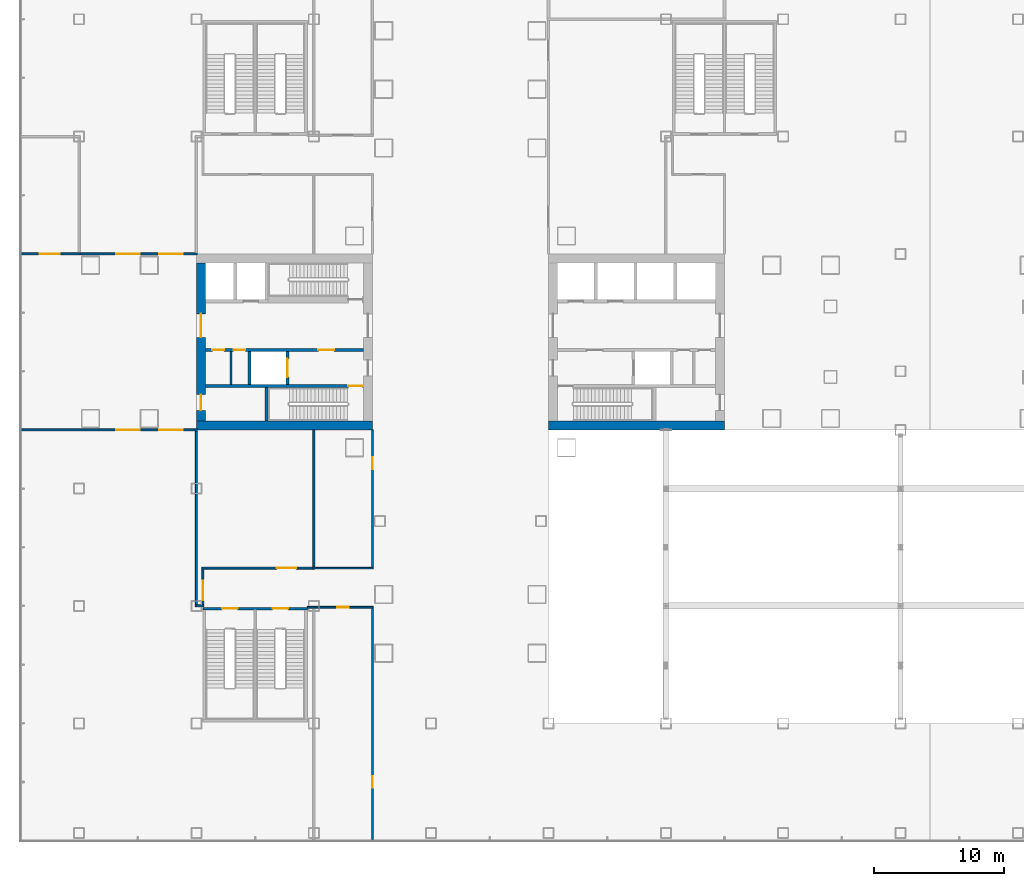
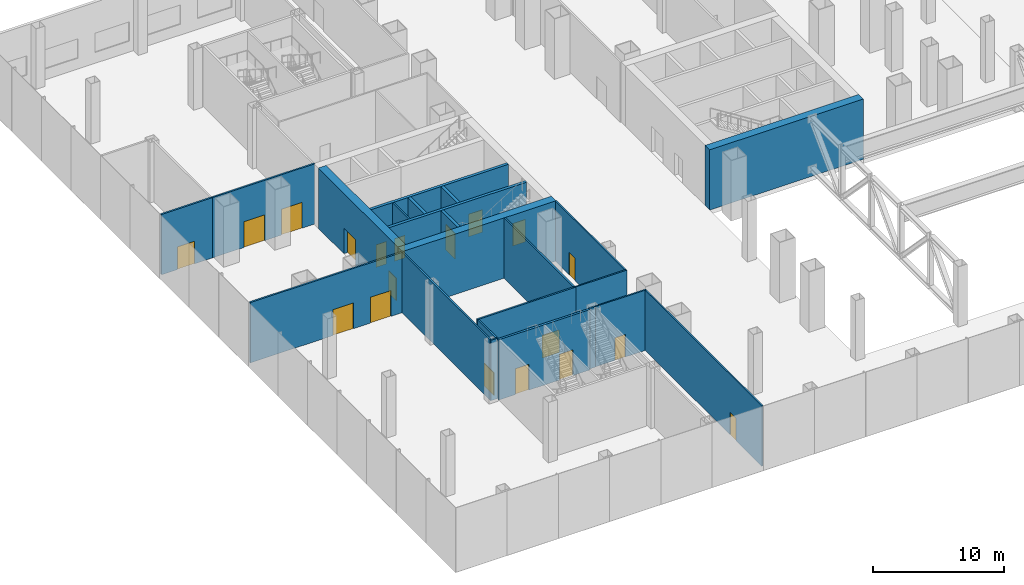
# One storey, part 18 of 33: 23 walls, 19 doors, 19 openings.
"""IFC4 building model written with IfcOpenShell, lengths in metres."""

from ifc_helpers import new_model, si_unit, direction, frame, frame_2d, origin, place, context, subcontext, project, spatial, rectangle, extrude, material, layer, layer_set, type_object, element, fill, save


model = new_model("IFC4")

# Units and contexts
model_context = context("Model", 3, precision=1e-05, world=origin(), true_north=direction((0.0, 1.0)))
body_context = subcontext(model_context, "Body", "Model", "MODEL_VIEW")
ifc_project = project(units=[si_unit("LENGTHUNIT", "METRE"), si_unit("AREAUNIT", "SQUARE_METRE"), si_unit("VOLUMEUNIT", "CUBIC_METRE"), si_unit("PLANEANGLEUNIT", "RADIAN"), si_unit("MASSUNIT", "GRAM", prefix="KILO")], contexts=[model_context])

# Site, building, storey
site_placement = place(None, origin())
site = spatial("IfcSite", under=ifc_project, at=site_placement, CompositionType="ELEMENT")
building_placement = place(site_placement, origin())
building = spatial("IfcBuilding", under=site, at=building_placement, Name="Shamsa Quay Exchange Towers", CompositionType="ELEMENT")
storey_placement = place(building_placement, frame((0.0, 0.0, 6.5)))
storey = spatial("IfcBuildingStorey", under=building, at=storey_placement, Name="L01", CompositionType="ELEMENT", Elevation=6.5)

# Walls
ifc_material_1 = material(Name="Concrete C80/95", Category="concrete")
ifc_layer_1 = layer(ifc_material_1, 0.699951171875)
ifc_layer_set_1 = layer_set([ifc_layer_1], Name="CORE WALL 700 C80/95")
wall_type_1 = type_object("IfcWallType", Name="CORE WALL 700 C80/95", PredefinedType="SHEAR", material=ifc_layer_set_1)
wall_1_placement = place(storey_placement, frame((-27.0, -6.39990234375, 0.0)))
element("IfcWall", 1, at=wall_1_placement, inside=storey, type_object=wall_type_1, Name="Core wall T1A-L01-PS", PredefinedType="SHEAR", context=body_context, shape_type="SweptSolid", body=[
    extrude(rectangle(XDim=13.5, YDim=0.699951171875, at=frame_2d((6.75, 0.0))), origin(), (0.0, 0.0, 1.0), 5.60009765625),
])
wall_2_placement = place(storey_placement, frame((-40.5, -6.39990234375, 0.0), z_axis=(0.0, 0.0, 1.0), x_axis=(-1.0, 0.0, 0.0)))
element("IfcWall", 2, at=wall_2_placement, inside=storey, type_object=wall_type_1, Name="Core wall T1B-L01-PS", PredefinedType="SHEAR", context=body_context, shape_type="SweptSolid", body=[
    extrude(rectangle(XDim=13.5, YDim=0.699951171875, at=frame_2d((6.75, 0.0))), origin(), (0.0, 0.0, 1.0), 5.60009765625),
])

# Wall, openings, doors
wall_3_placement = place(storey_placement, frame((-53.64990234375, -6.050048828125, 0.0), z_axis=(0.0, 0.0, 1.0), x_axis=(0.0, 1.0, 0.0)))
wall_3 = element("IfcWall", 3, at=wall_3_placement, inside=storey, type_object=wall_type_1, Name="Core wall T1B-L01-PB", PredefinedType="SHEAR", context=body_context, shape_type="SweptSolid", body=[
    extrude(rectangle(XDim=12.10009765625, YDim=0.699951171875, at=frame_2d((6.050048828125, 0.0))), origin(), (0.0, 0.0, 1.0), 5.60009765625),
])
opening_1_placement = place(wall_3_placement, frame((0.800048828125, 0.0, 0.0)))
opening_1 = element("IfcOpeningElement", 4, at=opening_1_placement, cuts=wall_3, Name="Opening T1B-L01-RD03", PredefinedType="OPENING", context=body_context, shape_type="SweptSolid", body=[
    extrude(rectangle(XDim=1.199951171875, YDim=2.10009765625, at=frame_2d((0.60009765625, 1.050048828125))), frame((0.0, 0.35986328125, 0.0), z_axis=(0.0, -1.0, 0.0), x_axis=(1.0, 0.0, 0.0)), (0.0, 0.0, 1.0), 0.719970703125),
])
opening_2_placement = place(wall_3_placement, frame((6.39990234375, 0.0, 0.0)))
opening_2 = element("IfcOpeningElement", 5, at=opening_2_placement, cuts=wall_3, Name="Opening T1B-L01-LBD04", PredefinedType="OPENING", context=body_context, shape_type="SweptSolid", body=[
    extrude(rectangle(XDim=1.800048828125, YDim=2.39990234375, at=frame_2d((0.89990234375, 1.199951171875))), frame((0.0, 0.35986328125, 0.0), z_axis=(0.0, -1.0, 0.0), x_axis=(1.0, 0.0, 0.0)), (0.0, 0.0, 1.0), 0.719970703125),
])
ifc_material_2 = material(Name="Steel, fire rated", Category="steel")
door_type_1 = type_object("IfcDoorType", Name="LIFT LOBBY DOOR PAIR 1800", OperationType="DOUBLE_DOOR_SINGLE_SWING", PredefinedType="DOOR", material=ifc_material_2)
door_1_placement = place(opening_2_placement, origin())
door_1 = element("IfcDoor", 6, at=door_1_placement, inside=storey, type_object=door_type_1, Name="T1B-L01-LBD04", OperationType="DOUBLE_DOOR_SINGLE_SWING", OverallHeight=2.39990234375, OverallWidth=1.800048828125, PredefinedType="DOOR", context=body_context, shape_type="SweptSolid", body=[
    extrude(rectangle(XDim=1.800048828125, YDim=2.39990234375, at=frame_2d((0.89990234375, 1.199951171875))), frame((0.0, 0.02490234375, 0.0), z_axis=(0.0, -1.0, 0.0), x_axis=(1.0, 0.0, 0.0)), (0.0, 0.0, 1.0), 0.050048828125),
])
fill(opening_2, door_1)
door_type_2 = type_object("IfcDoorType", Name="RISER ACCESS DOOR 1200", OperationType="SINGLE_SWING_LEFT", PredefinedType="DOOR", material=ifc_material_2)
door_2_placement = place(opening_1_placement, origin())
door_2 = element("IfcDoor", 7, at=door_2_placement, inside=storey, type_object=door_type_2, Name="T1B-L01-RD03", OperationType="SINGLE_SWING_LEFT", OverallHeight=2.10009765625, OverallWidth=1.199951171875, PredefinedType="DOOR", context=body_context, shape_type="SweptSolid", body=[
    extrude(rectangle(XDim=1.199951171875, YDim=2.10009765625, at=frame_2d((0.60009765625, 1.050048828125))), frame((0.0, 0.02490234375, 0.0), z_axis=(0.0, -1.0, 0.0), x_axis=(1.0, 0.0, 0.0)), (0.0, 0.0, 1.0), 0.050048828125),
])
fill(opening_1, door_2)

# Wall
ifc_material_3 = material(Name="Gypsum board on steel studs, EI 60", Category="steel")
ifc_layer_2 = layer(ifc_material_3, 0.14990234375)
ifc_layer_set_2 = layer_set([ifc_layer_2], Name="FIRE PARTITION 150")
wall_type_2 = type_object("IfcWallType", Name="FIRE PARTITION 150", PredefinedType="PARTITIONING", material=ifc_layer_set_2)
wall_4_placement = place(storey_placement, frame((-51.35009765625, -3.25, 0.0), z_axis=(0.0, 0.0, 1.0), x_axis=(0.0, 1.0, 0.0)))
element("IfcWall", 8, at=wall_4_placement, inside=storey, type_object=wall_type_2, Name="Partition T1B-L01-EC0", PredefinedType="PARTITIONING", context=body_context, shape_type="SweptSolid", body=[
    extrude(rectangle(XDim=2.5, YDim=0.14990234375, at=frame_2d((1.25, 0.0))), origin(), (0.0, 0.0, 1.0), 5.60009765625),
])

# Wall, opening, door
ifc_material_4 = material(Name="Laminated fire-resisting glass in a metal frame", Category="glass")
ifc_layer_3 = layer(ifc_material_4, 0.125)
ifc_layer_set_3 = layer_set([ifc_layer_3], Name="Glazed partition 125 mm EI 60")
wall_type_3 = type_object("IfcWallType", Name="Glazed partition 125 mm EI 60", PredefinedType="PARTITIONING", material=ifc_layer_set_3)
wall_5_placement = place(storey_placement, frame((-40.5, -20.412109375, 0.0), z_axis=(0.0, 0.0, 1.0), x_axis=(0.0, -1.0, 0.0)))
wall_5 = element("IfcWall", 9, at=wall_5_placement, inside=storey, type_object=wall_type_3, Name="Partition PD-L01-W03", PredefinedType="PARTITIONING", context=body_context, shape_type="SweptSolid", body=[
    extrude(rectangle(XDim=17.742919921875, YDim=0.125, at=frame_2d((8.87158203125, 0.0))), origin(), (0.0, 0.0, 1.0), 5.60009765625),
])
opening_3_placement = place(wall_5_placement, frame((12.887939453125, 0.0, 0.0)))
opening_3 = element("IfcOpeningElement", 10, at=opening_3_placement, cuts=wall_5, Name="Opening PD-L01-D09", PredefinedType="OPENING", context=body_context, shape_type="SweptSolid", body=[
    extrude(rectangle(XDim=0.89990234375, YDim=2.10009765625, at=frame_2d((0.449951171875, 1.050048828125))), frame((0.0, 0.072509765625, 0.0), z_axis=(0.0, -1.0, 0.0), x_axis=(1.0, 0.0, 0.0)), (0.0, 0.0, 1.0), 0.14501953125),
])
ifc_material_5 = material(Name="Timber door leaf in a metal frame", Category="wood")
door_type_3 = type_object("IfcDoorType", Name="Door 900x2100 FD30S", OperationType="NOTDEFINED", PredefinedType="DOOR", material=ifc_material_5)
door_3_placement = place(opening_3_placement, origin())
door_3 = element("IfcDoor", 11, at=door_3_placement, inside=storey, type_object=door_type_3, Name="Door PD-L01-D09", OperationType="SINGLE_SWING_RIGHT", OverallHeight=2.10009765625, OverallWidth=0.89990234375, PredefinedType="DOOR", context=body_context, shape_type="SweptSolid", body=[
    extrude(rectangle(XDim=0.89990234375, YDim=2.10009765625, at=frame_2d((0.449951171875, 1.050048828125))), frame((0.0, 0.02490234375, 0.0), z_axis=(0.0, -1.0, 0.0), x_axis=(1.0, 0.0, 0.0)), (0.0, 0.0, 1.0), 0.050048828125),
])
fill(opening_3, door_3)

wall_6_placement = place(storey_placement, frame((-40.5, -17.287109375, 0.0), z_axis=(0.0, 0.0, 1.0), x_axis=(0.0, 1.0, 0.0)))
wall_6 = element("IfcWall", 12, at=wall_6_placement, inside=storey, type_object=wall_type_3, Name="Partition PD-L01-W05", PredefinedType="PARTITIONING", context=body_context, shape_type="SweptSolid", body=[
    extrude(rectangle(XDim=10.537109375, YDim=0.125, at=frame_2d((5.2685546875, 0.0))), origin(), (0.0, 0.0, 1.0), 5.60009765625),
])
opening_4_placement = place(wall_6_placement, frame((7.537109375, 0.0, 0.0)))
opening_4 = element("IfcOpeningElement", 13, at=opening_4_placement, cuts=wall_6, Name="Opening PD-L01-D10", PredefinedType="OPENING", context=body_context, shape_type="SweptSolid", body=[
    extrude(rectangle(XDim=0.89990234375, YDim=2.10009765625, at=frame_2d((0.449951171875, 1.050048828125))), frame((0.0, 0.072509765625, 0.0), z_axis=(0.0, -1.0, 0.0), x_axis=(1.0, 0.0, 0.0)), (0.0, 0.0, 1.0), 0.14501953125),
])
door_4_placement = place(opening_4_placement, origin())
door_4 = element("IfcDoor", 14, at=door_4_placement, inside=storey, type_object=door_type_3, Name="Door PD-L01-D10", OperationType="SINGLE_SWING_LEFT", OverallHeight=2.10009765625, OverallWidth=0.89990234375, PredefinedType="DOOR", context=body_context, shape_type="SweptSolid", body=[
    extrude(rectangle(XDim=0.89990234375, YDim=2.10009765625, at=frame_2d((0.449951171875, 1.050048828125))), frame((0.0, 0.02490234375, 0.0), z_axis=(0.0, -1.0, 0.0), x_axis=(1.0, 0.0, 0.0)), (0.0, 0.0, 1.0), 0.050048828125),
])
fill(opening_4, door_4)

wall_7_placement = place(storey_placement, frame((-45.074951171875, -20.349609375, 0.0)))
wall_7 = element("IfcWall", 15, at=wall_7_placement, inside=storey, type_object=wall_type_3, Name="Partition PD-L01-W36", PredefinedType="PARTITIONING", context=body_context, shape_type="SweptSolid", body=[
    extrude(rectangle(XDim=4.637451171875, YDim=0.125, at=frame_2d((2.31884765625, 0.0))), origin(), (0.0, 0.0, 1.0), 5.60009765625),
])
opening_5_placement = place(wall_7_placement, frame((1.875, 0.0, 0.0)))
opening_5 = element("IfcOpeningElement", 16, at=opening_5_placement, cuts=wall_7, Name="Opening PD-L01-D07", PredefinedType="OPENING", context=body_context, shape_type="SweptSolid", body=[
    extrude(rectangle(XDim=0.89990234375, YDim=2.10009765625, at=frame_2d((0.449951171875, 1.050048828125))), frame((0.0, 0.072509765625, 0.0), z_axis=(0.0, -1.0, 0.0), x_axis=(1.0, 0.0, 0.0)), (0.0, 0.0, 1.0), 0.14501953125),
])
door_5_placement = place(opening_5_placement, origin())
door_5 = element("IfcDoor", 17, at=door_5_placement, inside=storey, type_object=door_type_3, Name="Door PD-L01-D07", OperationType="SINGLE_SWING_LEFT", OverallHeight=2.10009765625, OverallWidth=0.89990234375, PredefinedType="DOOR", context=body_context, shape_type="SweptSolid", body=[
    extrude(rectangle(XDim=0.89990234375, YDim=2.10009765625, at=frame_2d((0.449951171875, 1.050048828125))), frame((0.0, 0.02490234375, 0.0), z_axis=(0.0, -1.0, 0.0), x_axis=(1.0, 0.0, 0.0)), (0.0, 0.0, 1.0), 0.050048828125),
])
fill(opening_5, door_5)

# Wall
wall_8_placement = place(storey_placement, frame((-45.074951171875, -17.349609375, 0.0)))
element("IfcWall", 18, at=wall_8_placement, inside=storey, type_object=wall_type_3, Name="Partition PD-L01-W37", PredefinedType="PARTITIONING", context=body_context, shape_type="SweptSolid", body=[
    extrude(rectangle(XDim=4.637451171875, YDim=0.125, at=frame_2d((2.31884765625, 0.0))), origin(), (0.0, 0.0, 1.0), 5.60009765625),
])

# Wall, openings, doors
ifc_material_6 = material(Name="Gypsum board partition on metal studs")
ifc_layer_4 = layer(ifc_material_6, 0.14990234375)
ifc_layer_set_4 = layer_set([ifc_layer_4], Name="Partition 150 mm EI 60")
wall_type_4 = type_object("IfcWallType", Name="Partition 150 mm EI 60", PredefinedType="PARTITIONING", material=ifc_layer_set_4)
wall_9_placement = place(storey_placement, frame((-67.405029296875, -6.75, 0.0)))
wall_9 = element("IfcWall", 19, at=wall_9_placement, inside=storey, type_object=wall_type_4, Name="Partition PD-L01-W16", PredefinedType="PARTITIONING", context=body_context, shape_type="SweptSolid", body=[
    extrude(rectangle(XDim=13.47998046875, YDim=0.14990234375, at=frame_2d((6.739990234375, 0.0))), origin(), (0.0, 0.0, 1.0), 5.60009765625),
])
opening_6_placement = place(wall_9_placement, frame((7.2548828125, 0.0, 0.0)))
opening_6 = element("IfcOpeningElement", 20, at=opening_6_placement, cuts=wall_9, Name="Opening PD-L01-D01", PredefinedType="OPENING", context=body_context, shape_type="SweptSolid", body=[
    extrude(rectangle(XDim=1.800048828125, YDim=2.39990234375, at=frame_2d((0.89990234375, 1.199951171875))), frame((0.0, 0.0849609375, 0.0), z_axis=(0.0, -1.0, 0.0), x_axis=(1.0, 0.0, 0.0)), (0.0, 0.0, 1.0), 0.169921875),
])
opening_7_placement = place(wall_9_placement, frame((10.554931640625, 0.0, 0.0)))
opening_7 = element("IfcOpeningElement", 21, at=opening_7_placement, cuts=wall_9, Name="Opening PD-L01-D02", PredefinedType="OPENING", context=body_context, shape_type="SweptSolid", body=[
    extrude(rectangle(XDim=1.800048828125, YDim=2.39990234375, at=frame_2d((0.89990234375, 1.199951171875))), frame((0.0, 0.0849609375, 0.0), z_axis=(0.0, -1.0, 0.0), x_axis=(1.0, 0.0, 0.0)), (0.0, 0.0, 1.0), 0.169921875),
])
door_type_4 = type_object("IfcDoorType", Name="Door 1800x2400 FD30S pair", OperationType="NOTDEFINED", PredefinedType="DOOR", material=ifc_material_5)
door_6_placement = place(opening_6_placement, origin())
door_6 = element("IfcDoor", 22, at=door_6_placement, inside=storey, type_object=door_type_4, Name="Door PD-L01-D01", OperationType="DOUBLE_DOOR_SINGLE_SWING", OverallHeight=2.39990234375, OverallWidth=1.800048828125, PredefinedType="DOOR", context=body_context, shape_type="SweptSolid", body=[
    extrude(rectangle(XDim=1.800048828125, YDim=2.39990234375, at=frame_2d((0.89990234375, 1.199951171875))), frame((0.0, 0.02490234375, 0.0), z_axis=(0.0, -1.0, 0.0), x_axis=(1.0, 0.0, 0.0)), (0.0, 0.0, 1.0), 0.050048828125),
])
fill(opening_6, door_6)
door_7_placement = place(opening_7_placement, origin())
door_7 = element("IfcDoor", 23, at=door_7_placement, inside=storey, type_object=door_type_4, Name="Door PD-L01-D02", OperationType="DOUBLE_DOOR_SINGLE_SWING", OverallHeight=2.39990234375, OverallWidth=1.800048828125, PredefinedType="DOOR", context=body_context, shape_type="SweptSolid", body=[
    extrude(rectangle(XDim=1.800048828125, YDim=2.39990234375, at=frame_2d((0.89990234375, 1.199951171875))), frame((0.0, 0.02490234375, 0.0), z_axis=(0.0, -1.0, 0.0), x_axis=(1.0, 0.0, 0.0)), (0.0, 0.0, 1.0), 0.050048828125),
])
fill(opening_7, door_7)

wall_10_placement = place(storey_placement, frame((-53.925048828125, 6.75, 0.0), z_axis=(0.0, 0.0, 1.0), x_axis=(-1.0, 0.0, 0.0)))
wall_10 = element("IfcWall", 24, at=wall_10_placement, inside=storey, type_object=wall_type_4, Name="Partition PD-L01-W18", PredefinedType="PARTITIONING", context=body_context, shape_type="SweptSolid", body=[
    extrude(rectangle(XDim=9.14990234375, YDim=0.14990234375, at=frame_2d((4.574951171875, 0.0))), origin(), (0.0, 0.0, 1.0), 5.60009765625),
])
opening_8_placement = place(wall_10_placement, frame((1.125, 0.0, 0.0)))
opening_8 = element("IfcOpeningElement", 25, at=opening_8_placement, cuts=wall_10, Name="Opening PD-L01-D04", PredefinedType="OPENING", context=body_context, shape_type="SweptSolid", body=[
    extrude(rectangle(XDim=1.800048828125, YDim=2.39990234375, at=frame_2d((0.89990234375, 1.199951171875))), frame((0.0, 0.0849609375, 0.0), z_axis=(0.0, -1.0, 0.0), x_axis=(1.0, 0.0, 0.0)), (0.0, 0.0, 1.0), 0.169921875),
])
opening_9_placement = place(wall_10_placement, frame((4.425048828125, 0.0, 0.0)))
opening_9 = element("IfcOpeningElement", 26, at=opening_9_placement, cuts=wall_10, Name="Opening PD-L01-D05", PredefinedType="OPENING", context=body_context, shape_type="SweptSolid", body=[
    extrude(rectangle(XDim=1.800048828125, YDim=2.39990234375, at=frame_2d((0.89990234375, 1.199951171875))), frame((0.0, 0.0849609375, 0.0), z_axis=(0.0, -1.0, 0.0), x_axis=(1.0, 0.0, 0.0)), (0.0, 0.0, 1.0), 0.169921875),
])
door_8_placement = place(opening_8_placement, origin())
door_8 = element("IfcDoor", 27, at=door_8_placement, inside=storey, type_object=door_type_4, Name="Door PD-L01-D04", OperationType="DOUBLE_DOOR_SINGLE_SWING", OverallHeight=2.39990234375, OverallWidth=1.800048828125, PredefinedType="DOOR", context=body_context, shape_type="SweptSolid", body=[
    extrude(rectangle(XDim=1.800048828125, YDim=2.39990234375, at=frame_2d((0.89990234375, 1.199951171875))), frame((0.0, 0.02490234375, 0.0), z_axis=(0.0, -1.0, 0.0), x_axis=(1.0, 0.0, 0.0)), (0.0, 0.0, 1.0), 0.050048828125),
])
fill(opening_8, door_8)
door_9_placement = place(opening_9_placement, origin())
door_9 = element("IfcDoor", 28, at=door_9_placement, inside=storey, type_object=door_type_4, Name="Door PD-L01-D05", OperationType="DOUBLE_DOOR_SINGLE_SWING", OverallHeight=2.39990234375, OverallWidth=1.800048828125, PredefinedType="DOOR", context=body_context, shape_type="SweptSolid", body=[
    extrude(rectangle(XDim=1.800048828125, YDim=2.39990234375, at=frame_2d((0.89990234375, 1.199951171875))), frame((0.0, 0.02490234375, 0.0), z_axis=(0.0, -1.0, 0.0), x_axis=(1.0, 0.0, 0.0)), (0.0, 0.0, 1.0), 0.050048828125),
])
fill(opening_9, door_9)

# Wall, opening, door
wall_11_placement = place(storey_placement, frame((-67.405029296875, 6.75, 0.0)))
wall_11 = element("IfcWall", 29, at=wall_11_placement, inside=storey, type_object=wall_type_4, Name="Partition PD-L01-W19", PredefinedType="PARTITIONING", context=body_context, shape_type="SweptSolid", body=[
    extrude(rectangle(XDim=4.47998046875, YDim=0.14990234375, at=frame_2d((2.239990234375, 0.0))), origin(), (0.0, 0.0, 1.0), 5.60009765625),
])
opening_10_placement = place(wall_11_placement, frame((1.405029296875, 0.0, 0.0)))
opening_10 = element("IfcOpeningElement", 30, at=opening_10_placement, cuts=wall_11, Name="Opening PD-L01-D03", PredefinedType="OPENING", context=body_context, shape_type="SweptSolid", body=[
    extrude(rectangle(XDim=1.5, YDim=2.10009765625, at=frame_2d((0.75, 1.050048828125))), frame((0.0, 0.0849609375, 0.0), z_axis=(0.0, -1.0, 0.0), x_axis=(1.0, 0.0, 0.0)), (0.0, 0.0, 1.0), 0.169921875),
])
door_type_5 = type_object("IfcDoorType", Name="Door 1500x2100 FD30S pair", OperationType="NOTDEFINED", PredefinedType="DOOR", material=ifc_material_5)
door_10_placement = place(opening_10_placement, origin())
door_10 = element("IfcDoor", 31, at=door_10_placement, inside=storey, type_object=door_type_5, Name="Door PD-L01-D03", OperationType="DOUBLE_DOOR_SINGLE_SWING", OverallHeight=2.10009765625, OverallWidth=1.5, PredefinedType="DOOR", context=body_context, shape_type="SweptSolid", body=[
    extrude(rectangle(XDim=1.5, YDim=2.10009765625, at=frame_2d((0.75, 1.050048828125))), frame((0.0, 0.02490234375, 0.0), z_axis=(0.0, -1.0, 0.0), x_axis=(1.0, 0.0, 0.0)), (0.0, 0.0, 1.0), 0.050048828125),
])
fill(opening_10, door_10)

# Wall
wall_12_placement = place(storey_placement, frame((-45.5, -20.349609375, 0.0)))
element("IfcWall", 32, at=wall_12_placement, inside=storey, type_object=wall_type_4, Name="Partition PD-L01-W32", PredefinedType="PARTITIONING", context=body_context, shape_type="SweptSolid", body=[
    extrude(rectangle(XDim=0.574951171875, YDim=0.14990234375, at=frame_2d((0.28759765625, 0.0))), origin(), (0.0, 0.0, 1.0), 5.60009765625),
])

# Wall, opening, door
wall_13_placement = place(storey_placement, frame((-53.5, -17.424560546875, 0.0), z_axis=(0.0, 0.0, 1.0), x_axis=(0.0, -1.0, 0.0)))
wall_13 = element("IfcWall", 33, at=wall_13_placement, inside=storey, type_object=wall_type_4, Name="Partition PD-L01-W34", PredefinedType="PARTITIONING", context=body_context, shape_type="SweptSolid", body=[
    extrude(rectangle(XDim=2.75048828125, YDim=0.14990234375, at=frame_2d((1.375244140625, 0.0))), origin(), (0.0, 0.0, 1.0), 5.60009765625),
])
opening_11_placement = place(wall_13_placement, frame((0.895263671875, 0.0, 0.0)))
opening_11 = element("IfcOpeningElement", 34, at=opening_11_placement, cuts=wall_13, Name="Opening PD-L01-D06", PredefinedType="OPENING", context=body_context, shape_type="SweptSolid", body=[
    extrude(rectangle(XDim=1.5, YDim=2.10009765625, at=frame_2d((0.75, 1.050048828125))), frame((0.0, 0.0849609375, 0.0), z_axis=(0.0, -1.0, 0.0), x_axis=(1.0, 0.0, 0.0)), (0.0, 0.0, 1.0), 0.169921875),
])
door_11_placement = place(opening_11_placement, origin())
door_11 = element("IfcDoor", 35, at=door_11_placement, inside=storey, type_object=door_type_5, Name="Door PD-L01-D06", OperationType="DOUBLE_DOOR_SINGLE_SWING", OverallHeight=2.10009765625, OverallWidth=1.5, PredefinedType="DOOR", context=body_context, shape_type="SweptSolid", body=[
    extrude(rectangle(XDim=1.5, YDim=2.10009765625, at=frame_2d((0.75, 1.050048828125))), frame((0.0, 0.02490234375, 0.0), z_axis=(0.0, -1.0, 0.0), x_axis=(1.0, 0.0, 0.0)), (0.0, 0.0, 1.0), 0.050048828125),
])
fill(opening_11, door_11)

wall_14_placement = place(storey_placement, frame((-44.925048828125, -17.349609375, 0.0), z_axis=(0.0, 0.0, 1.0), x_axis=(-1.0, 0.0, 0.0)))
wall_14 = element("IfcWall", 36, at=wall_14_placement, inside=storey, type_object=wall_type_4, Name="Partition PD-L01-W35", PredefinedType="PARTITIONING", context=body_context, shape_type="SweptSolid", body=[
    extrude(rectangle(XDim=8.64990234375, YDim=0.14990234375, at=frame_2d((4.324951171875, 0.0))), origin(), (0.0, 0.0, 1.0), 5.60009765625),
])
opening_12_placement = place(wall_14_placement, frame((1.425048828125, 0.0, 0.0)))
opening_12 = element("IfcOpeningElement", 37, at=opening_12_placement, cuts=wall_14, Name="Opening PD-L01-D08", PredefinedType="OPENING", context=body_context, shape_type="SweptSolid", body=[
    extrude(rectangle(XDim=1.5, YDim=2.10009765625, at=frame_2d((0.75, 1.050048828125))), frame((0.0, 0.0849609375, 0.0), z_axis=(0.0, -1.0, 0.0), x_axis=(1.0, 0.0, 0.0)), (0.0, 0.0, 1.0), 0.169921875),
])
door_12_placement = place(opening_12_placement, origin())
door_12 = element("IfcDoor", 38, at=door_12_placement, inside=storey, type_object=door_type_5, Name="Door PD-L01-D08", OperationType="DOUBLE_DOOR_SINGLE_SWING", OverallHeight=2.10009765625, OverallWidth=1.5, PredefinedType="DOOR", context=body_context, shape_type="SweptSolid", body=[
    extrude(rectangle(XDim=1.5, YDim=2.10009765625, at=frame_2d((0.75, 1.050048828125))), frame((0.0, 0.02490234375, 0.0), z_axis=(0.0, -1.0, 0.0), x_axis=(1.0, 0.0, 0.0)), (0.0, 0.0, 1.0), 0.050048828125),
])
fill(opening_12, door_12)

# Walls
wall_15_placement = place(storey_placement, frame((-54.0, -20.175048828125, 0.0), z_axis=(0.0, 0.0, 1.0), x_axis=(0.0, 1.0, 0.0)))
element("IfcWall", 39, at=wall_15_placement, inside=storey, type_object=wall_type_4, Name="Partition PD-L01-W40", PredefinedType="PARTITIONING", context=body_context, shape_type="SweptSolid", body=[
    extrude(rectangle(XDim=13.35009765625, YDim=0.14990234375, at=frame_2d((6.675048828125, 0.0))), origin(), (0.0, 0.0, 1.0), 5.60009765625),
])
wall_16_placement = place(storey_placement, frame((-53.425048828125, -20.25, 0.0), z_axis=(0.0, 0.0, 1.0), x_axis=(-1.0, 0.0, 0.0)))
element("IfcWall", 40, at=wall_16_placement, inside=storey, type_object=wall_type_4, Name="Partition PD-L01-W43", PredefinedType="PARTITIONING", context=body_context, shape_type="SweptSolid", body=[
    extrude(rectangle(XDim=0.64990234375, YDim=0.14990234375, at=frame_2d((0.324951171875, 0.0))), origin(), (0.0, 0.0, 1.0), 5.60009765625),
])
wall_17_placement = place(storey_placement, frame((-45.0, -17.274658203125, 0.0), z_axis=(0.0, 0.0, 1.0), x_axis=(0.0, 1.0, 0.0)))
element("IfcWall", 41, at=wall_17_placement, inside=storey, type_object=wall_type_4, Name="Partition PD-L01-W45", PredefinedType="PARTITIONING", context=body_context, shape_type="SweptSolid", body=[
    extrude(rectangle(XDim=10.524658203125, YDim=0.14990234375, at=frame_2d((5.26220703125, 0.0))), origin(), (0.0, 0.0, 1.0), 5.60009765625),
])

# Wall, opening, door
ifc_material_7 = material(Name="Concrete C50/60", Category="concrete")
ifc_layer_5 = layer(ifc_material_7, 0.25)
ifc_layer_set_5 = layer_set([ifc_layer_5], Name="SHAFT WALL 250 C50/60")
wall_type_5 = type_object("IfcWallType", Name="SHAFT WALL 250 C50/60", PredefinedType="SHEAR", material=ifc_layer_set_5)
wall_18_placement = place(storey_placement, frame((-41.199951171875, -3.375, 0.0), z_axis=(0.0, 0.0, 1.0), x_axis=(-1.0, 0.0, 0.0)))
wall_18 = element("IfcWall", 42, at=wall_18_placement, inside=storey, type_object=wall_type_5, Name="Shaft wall T1B-L01-STL", PredefinedType="SHEAR", context=body_context, shape_type="SweptSolid", body=[
    extrude(rectangle(XDim=12.10009765625, YDim=0.25, at=frame_2d((6.050048828125, 0.0))), origin(), (0.0, 0.0, 1.0), 5.60009765625),
])
opening_13_placement = place(wall_18_placement, frame((0.050048828125, 0.0, 0.0)))
opening_13 = element("IfcOpeningElement", 43, at=opening_13_placement, cuts=wall_18, Name="Opening T1B-L01-SD05", PredefinedType="OPENING", context=body_context, shape_type="SweptSolid", body=[
    extrude(rectangle(XDim=1.10009765625, YDim=2.10009765625, at=frame_2d((0.550048828125, 1.050048828125))), frame((0.0, 0.135009765625, 0.0), z_axis=(0.0, -1.0, 0.0), x_axis=(1.0, 0.0, 0.0)), (0.0, 0.0, 1.0), 0.27001953125),
])
door_type_6 = type_object("IfcDoorType", Name="STAIR DOOR 1100", OperationType="SINGLE_SWING_LEFT", PredefinedType="DOOR", material=ifc_material_2)
door_13_placement = place(opening_13_placement, origin())
door_13 = element("IfcDoor", 44, at=door_13_placement, inside=storey, type_object=door_type_6, Name="T1B-L01-SD05", OperationType="SINGLE_SWING_LEFT", OverallHeight=2.10009765625, OverallWidth=1.10009765625, PredefinedType="DOOR", context=body_context, shape_type="SweptSolid", body=[
    extrude(rectangle(XDim=1.10009765625, YDim=2.10009765625, at=frame_2d((0.550048828125, 1.050048828125))), frame((0.0, 0.02490234375, 0.0), z_axis=(0.0, -1.0, 0.0), x_axis=(1.0, 0.0, 0.0)), (0.0, 0.0, 1.0), 0.050048828125),
])
fill(opening_13, door_13)

# Wall
wall_19_placement = place(storey_placement, frame((-48.625, -6.050048828125, 0.0), z_axis=(0.0, 0.0, 1.0), x_axis=(0.0, 1.0, 0.0)))
element("IfcWall", 45, at=wall_19_placement, inside=storey, type_object=wall_type_5, Name="Shaft wall T1B-L01-STF", PredefinedType="SHEAR", context=body_context, shape_type="SweptSolid", body=[
    extrude(rectangle(XDim=2.550048828125, YDim=0.25, at=frame_2d((1.27490234375, 0.0))), origin(), (0.0, 0.0, 1.0), 5.60009765625),
])

# Wall, openings, doors
wall_20_placement = place(storey_placement, frame((-41.199951171875, -0.625, 0.0), z_axis=(0.0, 0.0, 1.0), x_axis=(-1.0, 0.0, 0.0)))
wall_20 = element("IfcWall", 46, at=wall_20_placement, inside=storey, type_object=wall_type_5, Name="Shaft wall T1B-L01-B", PredefinedType="SHEAR", context=body_context, shape_type="SweptSolid", body=[
    extrude(rectangle(XDim=12.10009765625, YDim=0.25, at=frame_2d((6.050048828125, 0.0))), origin(), (0.0, 0.0, 1.0), 5.60009765625),
])
opening_14_placement = place(wall_20_placement, frame((2.25, 0.0, 0.0)))
opening_14 = element("IfcOpeningElement", 47, at=opening_14_placement, cuts=wall_20, Name="Opening T1B-L01-FD06", PredefinedType="OPENING", context=body_context, shape_type="SweptSolid", body=[
    extrude(rectangle(XDim=1.199951171875, YDim=2.10009765625, at=frame_2d((0.60009765625, 1.050048828125))), frame((0.0, 0.135009765625, 0.0), z_axis=(0.0, -1.0, 0.0), x_axis=(1.0, 0.0, 0.0)), (0.0, 0.0, 1.0), 0.27001953125),
])
opening_15_placement = place(wall_20_placement, frame((9.050048828125, 0.0, 0.0)))
opening_15 = element("IfcOpeningElement", 48, at=opening_15_placement, cuts=wall_20, Name="Opening T1B-L01-SV07", PredefinedType="OPENING", context=body_context, shape_type="SweptSolid", body=[
    extrude(rectangle(XDim=0.89990234375, YDim=2.10009765625, at=frame_2d((0.449951171875, 1.050048828125))), frame((0.0, 0.135009765625, 0.0), z_axis=(0.0, -1.0, 0.0), x_axis=(1.0, 0.0, 0.0)), (0.0, 0.0, 1.0), 0.27001953125),
])
opening_16_placement = place(wall_20_placement, frame((10.675048828125, 0.0, 0.0)))
opening_16 = element("IfcOpeningElement", 49, at=opening_16_placement, cuts=wall_20, Name="Opening T1B-L01-SV08", PredefinedType="OPENING", context=body_context, shape_type="SweptSolid", body=[
    extrude(rectangle(XDim=0.89990234375, YDim=2.10009765625, at=frame_2d((0.449951171875, 1.050048828125))), frame((0.0, 0.135009765625, 0.0), z_axis=(0.0, -1.0, 0.0), x_axis=(1.0, 0.0, 0.0)), (0.0, 0.0, 1.0), 0.27001953125),
])
door_type_7 = type_object("IfcDoorType", Name="FIRE SERVICE LOBBY DOOR 1200", OperationType="SINGLE_SWING_LEFT", PredefinedType="DOOR", material=ifc_material_2)
door_14_placement = place(opening_14_placement, origin())
door_14 = element("IfcDoor", 50, at=door_14_placement, inside=storey, type_object=door_type_7, Name="T1B-L01-FD06", OperationType="SINGLE_SWING_LEFT", OverallHeight=2.10009765625, OverallWidth=1.199951171875, PredefinedType="DOOR", context=body_context, shape_type="SweptSolid", body=[
    extrude(rectangle(XDim=1.199951171875, YDim=2.10009765625, at=frame_2d((0.60009765625, 1.050048828125))), frame((0.0, 0.02490234375, 0.0), z_axis=(0.0, -1.0, 0.0), x_axis=(1.0, 0.0, 0.0)), (0.0, 0.0, 1.0), 0.050048828125),
])
fill(opening_14, door_14)
door_type_8 = type_object("IfcDoorType", Name="SERVICE ROOM DOOR 900", OperationType="SINGLE_SWING_LEFT", PredefinedType="DOOR", material=ifc_material_2)
door_15_placement = place(opening_15_placement, origin())
door_15 = element("IfcDoor", 51, at=door_15_placement, inside=storey, type_object=door_type_8, Name="T1B-L01-SV07", OperationType="SINGLE_SWING_RIGHT", OverallHeight=2.10009765625, OverallWidth=0.89990234375, PredefinedType="DOOR", context=body_context, shape_type="SweptSolid", body=[
    extrude(rectangle(XDim=0.89990234375, YDim=2.10009765625, at=frame_2d((0.449951171875, 1.050048828125))), frame((0.0, 0.02490234375, 0.0), z_axis=(0.0, -1.0, 0.0), x_axis=(1.0, 0.0, 0.0)), (0.0, 0.0, 1.0), 0.050048828125),
])
fill(opening_15, door_15)
door_16_placement = place(opening_16_placement, origin())
door_16 = element("IfcDoor", 52, at=door_16_placement, inside=storey, type_object=door_type_8, Name="T1B-L01-SV08", OperationType="SINGLE_SWING_RIGHT", OverallHeight=2.10009765625, OverallWidth=0.89990234375, PredefinedType="DOOR", context=body_context, shape_type="SweptSolid", body=[
    extrude(rectangle(XDim=0.89990234375, YDim=2.10009765625, at=frame_2d((0.449951171875, 1.050048828125))), frame((0.0, 0.02490234375, 0.0), z_axis=(0.0, -1.0, 0.0), x_axis=(1.0, 0.0, 0.0)), (0.0, 0.0, 1.0), 0.050048828125),
])
fill(opening_16, door_16)

# Wall, opening, door
wall_21_placement = place(storey_placement, frame((-47.02490234375, -3.25, 0.0), z_axis=(0.0, 0.0, 1.0), x_axis=(0.0, 1.0, 0.0)))
wall_21 = element("IfcWall", 53, at=wall_21_placement, inside=storey, type_object=wall_type_5, Name="Shaft wall T1B-L01-FFF", PredefinedType="SHEAR", context=body_context, shape_type="SweptSolid", body=[
    extrude(rectangle(XDim=2.5, YDim=0.25, at=frame_2d((1.25, 0.0))), origin(), (0.0, 0.0, 1.0), 5.60009765625),
])
opening_17_placement = place(wall_21_placement, frame((0.550048828125, 0.0, 0.0)))
opening_17 = element("IfcOpeningElement", 54, at=opening_17_placement, cuts=wall_21, Name="Opening T1B-L01-LDG09", PredefinedType="OPENING", context=body_context, shape_type="SweptSolid", body=[
    extrude(rectangle(XDim=1.39990234375, YDim=2.39990234375, at=frame_2d((0.699951171875, 1.199951171875))), frame((0.0, 0.135009765625, 0.0), z_axis=(0.0, -1.0, 0.0), x_axis=(1.0, 0.0, 0.0)), (0.0, 0.0, 1.0), 0.27001953125),
])
door_type_9 = type_object("IfcDoorType", Name="GOODS LIFT LANDING DOOR 1400", OperationType="SLIDING_TO_LEFT", PredefinedType="DOOR", material=ifc_material_2)
door_17_placement = place(opening_17_placement, origin())
door_17 = element("IfcDoor", 55, at=door_17_placement, inside=storey, type_object=door_type_9, Name="T1B-L01-LDG09", OperationType="SLIDING_TO_LEFT", OverallHeight=2.39990234375, OverallWidth=1.39990234375, PredefinedType="DOOR", context=body_context, shape_type="SweptSolid", body=[
    extrude(rectangle(XDim=1.39990234375, YDim=2.39990234375, at=frame_2d((0.699951171875, 1.199951171875))), frame((0.0, 0.02490234375, 0.0), z_axis=(0.0, -1.0, 0.0), x_axis=(1.0, 0.0, 0.0)), (0.0, 0.0, 1.0), 0.050048828125),
])
fill(opening_17, door_17)

# Wall
wall_22_placement = place(storey_placement, frame((-49.925048828125, -3.25, 0.0), z_axis=(0.0, 0.0, 1.0), x_axis=(0.0, 1.0, 0.0)))
element("IfcWall", 56, at=wall_22_placement, inside=storey, type_object=wall_type_5, Name="Shaft wall T1B-L01-FFB", PredefinedType="SHEAR", context=body_context, shape_type="SweptSolid", body=[
    extrude(rectangle(XDim=2.5, YDim=0.25, at=frame_2d((1.25, 0.0))), origin(), (0.0, 0.0, 1.0), 5.60009765625),
])

# Wall, openings, doors
ifc_layer_6 = layer(ifc_material_7, 0.199951171875)
ifc_layer_set_6 = layer_set([ifc_layer_6], Name="STAIR ENCLOSURE WALL 200 C50/60")
wall_type_6 = type_object("IfcWallType", Name="STAIR ENCLOSURE WALL 200 C50/60", PredefinedType="SHEAR", material=ifc_layer_set_6)
wall_23_placement = place(storey_placement, frame((-45.5, -20.449951171875, 0.0), z_axis=(0.0, 0.0, 1.0), x_axis=(-1.0, 0.0, 0.0)))
wall_23 = element("IfcWall", 57, at=wall_23_placement, inside=storey, type_object=wall_type_6, Name="Stair enclosure wall PS5 inward", PredefinedType="SHEAR", context=body_context, shape_type="SweptSolid", body=[
    extrude(rectangle(XDim=8.0, YDim=0.199951171875, at=frame_2d((4.0, 0.0))), origin(), (0.0, 0.0, 1.0), 5.60009765625),
])
opening_18_placement = place(wall_23_placement, frame((5.33740234375, 0.0, 0.0)))
opening_18 = element("IfcOpeningElement", 58, at=opening_18_placement, cuts=wall_23, Name="Opening PS5A-L01-SD01", PredefinedType="OPENING", context=body_context, shape_type="SweptSolid", body=[
    extrude(rectangle(XDim=1.199951171875, YDim=2.39990234375, at=frame_2d((0.60009765625, 1.199951171875))), frame((0.0, 0.10986328125, 0.0), z_axis=(0.0, -1.0, 0.0), x_axis=(1.0, 0.0, 0.0)), (0.0, 0.0, 1.0), 0.219970703125),
])
opening_19_placement = place(wall_23_placement, frame((1.46240234375, 0.0, 0.0)))
opening_19 = element("IfcOpeningElement", 59, at=opening_19_placement, cuts=wall_23, Name="Opening PS5B-L01-SD01", PredefinedType="OPENING", context=body_context, shape_type="SweptSolid", body=[
    extrude(rectangle(XDim=1.199951171875, YDim=2.39990234375, at=frame_2d((0.60009765625, 1.199951171875))), frame((0.0, 0.10986328125, 0.0), z_axis=(0.0, -1.0, 0.0), x_axis=(1.0, 0.0, 0.0)), (0.0, 0.0, 1.0), 0.219970703125),
])
door_type_10 = type_object("IfcDoorType", Name="PODIUM STAIR DOOR 1200", OperationType="SINGLE_SWING_LEFT", PredefinedType="DOOR", material=ifc_material_2)
door_18_placement = place(opening_18_placement, origin())
door_18 = element("IfcDoor", 60, at=door_18_placement, inside=storey, type_object=door_type_10, Name="PS5A-L01-SD01", OperationType="SINGLE_SWING_LEFT", OverallHeight=2.39990234375, OverallWidth=1.199951171875, PredefinedType="DOOR", context=body_context, shape_type="SweptSolid", body=[
    extrude(rectangle(XDim=1.199951171875, YDim=2.39990234375, at=frame_2d((0.60009765625, 1.199951171875))), frame((0.0, 0.02490234375, 0.0), z_axis=(0.0, -1.0, 0.0), x_axis=(1.0, 0.0, 0.0)), (0.0, 0.0, 1.0), 0.050048828125),
])
fill(opening_18, door_18)
door_19_placement = place(opening_19_placement, origin())
door_19 = element("IfcDoor", 61, at=door_19_placement, inside=storey, type_object=door_type_10, Name="PS5B-L01-SD01", OperationType="SINGLE_SWING_RIGHT", OverallHeight=2.39990234375, OverallWidth=1.199951171875, PredefinedType="DOOR", context=body_context, shape_type="SweptSolid", body=[
    extrude(rectangle(XDim=1.199951171875, YDim=2.39990234375, at=frame_2d((0.60009765625, 1.199951171875))), frame((0.0, 0.02490234375, 0.0), z_axis=(0.0, -1.0, 0.0), x_axis=(1.0, 0.0, 0.0)), (0.0, 0.0, 1.0), 0.050048828125),
])
fill(opening_19, door_19)

save(model, "model.ifc")
